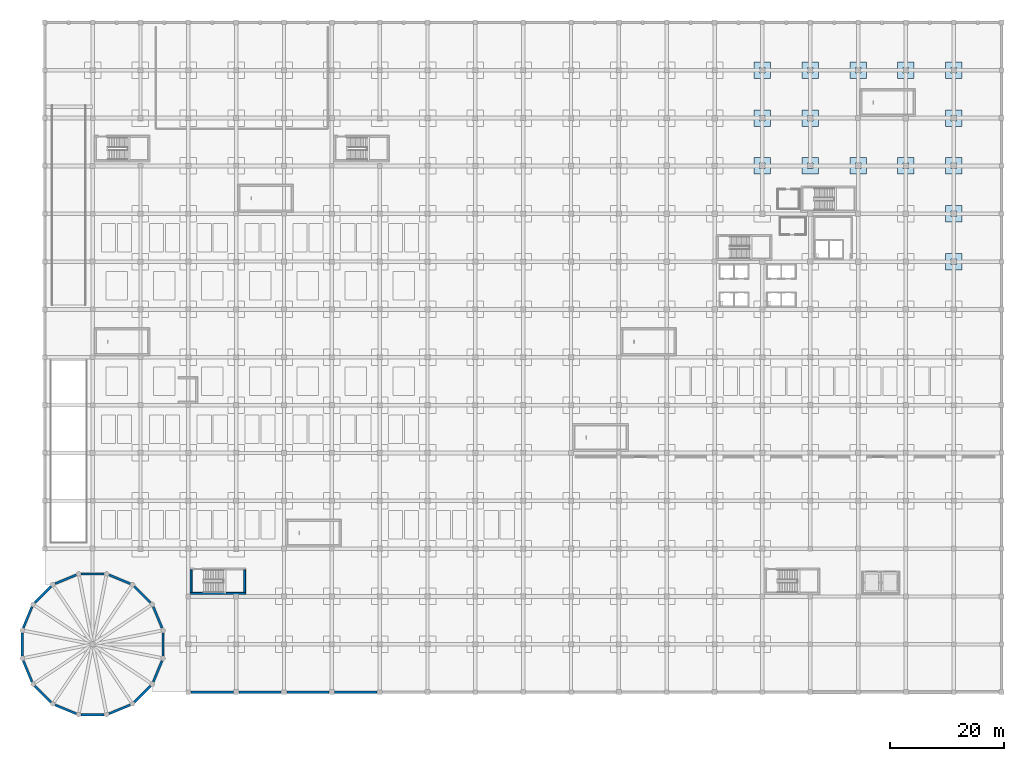
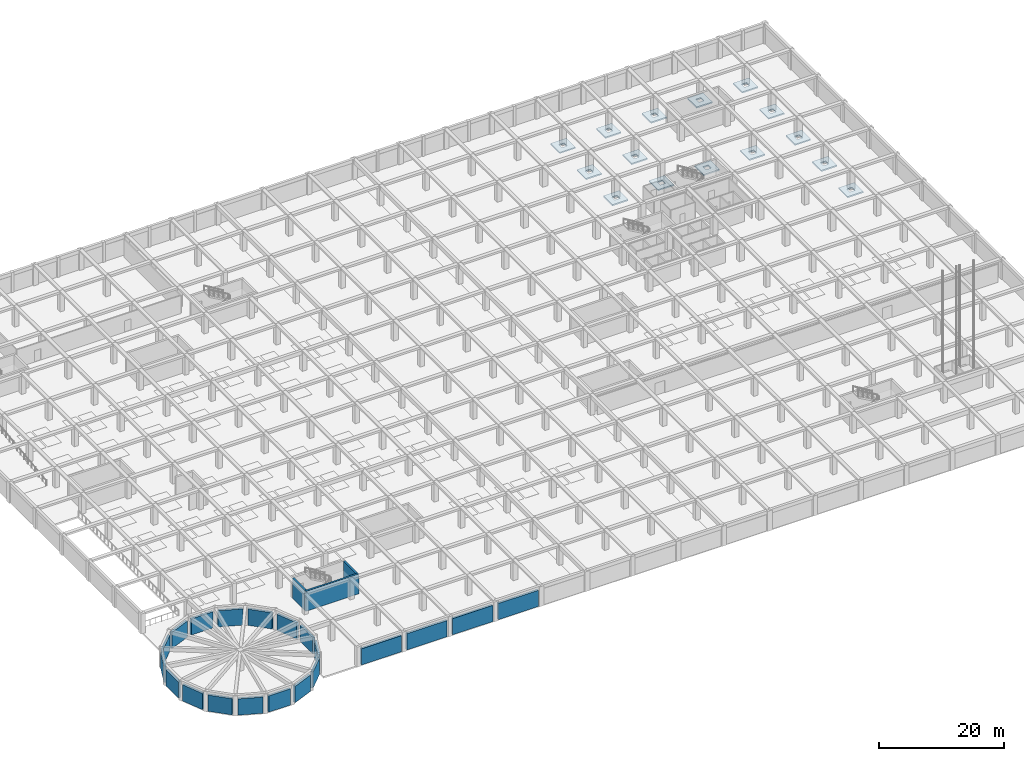
# One storey, part 14 of 32: 23 walls, 15 slabs.
"""IFC4 building model written with IfcOpenShell, lengths in metres."""

import ifcopenshell
import ifcopenshell.guid

model = None  # the IFC model being written
_history = None  # IfcOwnerHistory: only IFC2X3 demands one
_inside = {}  # id of a spatial element -> (the spatial element, [elements in it])
_under = {}  # id of a project, library or spatial element -> (it, [spatial elements below it])
_declared = {}  # id of a project -> (the project, [libraries it declares])
_typed = {}  # id of a type object -> (the type object, [elements of that type])
_made_of = {}  # id of a material, layer set ... -> (it, [elements and type objects made of it])


def new_model(schema):
    """Start an empty IFC model of exactly this schema.

    Asked for "IFC4X3", IfcOpenShell would pick the latest addendum, in which some entities
    have other attributes; the version numbers below select the first issue.
    IFC2X3 requires an IfcOwnerHistory on every rooted entity: one is made here for all.
    """
    global model, _history
    if schema == "IFC4X3":
        model = ifcopenshell.file(schema_version=(4, 3, 0, 0))
    else:
        model = ifcopenshell.file(schema=schema)
    _inside.clear()
    _under.clear()
    _declared.clear()
    _typed.clear()
    _made_of.clear()
    _history = None
    if model.schema == "IFC2X3":
        org = make("IfcOrganization", Name="unknown")
        user = make(
            "IfcPersonAndOrganization",
            ThePerson=make("IfcPerson", FamilyName="unknown"),
            TheOrganization=org,
        )
        app = make(
            "IfcApplication",
            ApplicationDeveloper=org,
            Version="unknown",
            ApplicationFullName="unknown",
            ApplicationIdentifier="unknown",
        )
        _history = make(
            "IfcOwnerHistory",
            OwningUser=user,
            OwningApplication=app,
            ChangeAction="ADDED",
            CreationDate=0,
        )
    return model


def make(cls, **values):
    """One entity of the class cls with the attributes given. An attribute that is None is left unset."""
    return model.create_entity(
        cls, **{name: value for name, value in values.items() if value is not None}
    )


def rooted(cls, **values):
    """An entity with a GlobalId (a new one), such as an element, a storey or a relation."""
    return make(cls, GlobalId=ifcopenshell.guid.new(), OwnerHistory=_history, **values)


def si_unit(unit_type, name, prefix=None):
    """IfcSIUnit, for example si_unit("LENGTHUNIT", "METRE", prefix="MILLI")."""
    return make("IfcSIUnit", UnitType=unit_type, Prefix=prefix, Name=name)


def assignment(units):
    """IfcUnitAssignment: the units of a project."""
    return None if units is None else make("IfcUnitAssignment", Units=units)


def point(xyz):
    """IfcCartesianPoint."""
    return None if xyz is None else make("IfcCartesianPoint", Coordinates=xyz)


def direction(xyz):
    """IfcDirection."""
    return None if xyz is None else make("IfcDirection", DirectionRatios=xyz)


def frame(location, z_axis=None, x_axis=None):
    """IfcAxis2Placement3D, a coordinate frame: its origin and axes. An axis left out is left unset."""
    return make(
        "IfcAxis2Placement3D",
        Location=point(location),
        Axis=direction(z_axis),
        RefDirection=direction(x_axis),
    )


def frame_2d(location, x_axis=None):
    """IfcAxis2Placement2D, a coordinate frame in the plane: its origin and x axis."""
    return make(
        "IfcAxis2Placement2D", Location=point(location), RefDirection=direction(x_axis)
    )


def origin():
    """The frame at (0, 0, 0) with its axes left unset."""
    return frame((0.0, 0.0, 0.0))


def place(relative_to, where):
    """IfcLocalPlacement: puts the frame where relative to a parent placement (None: the world)."""
    return make(
        "IfcLocalPlacement", PlacementRelTo=relative_to, RelativePlacement=where
    )


def context(
    kind, dimensions, precision=None, world=None, true_north=None, identifier=None
):
    """IfcGeometricRepresentationContext, for example the 3D "Model" context."""
    return make(
        "IfcGeometricRepresentationContext",
        ContextIdentifier=identifier,
        ContextType=kind,
        CoordinateSpaceDimension=dimensions,
        Precision=precision,
        WorldCoordinateSystem=world,
        TrueNorth=true_north,
    )


def subcontext(parent, identifier, kind, view, scale=None):
    """IfcGeometricRepresentationSubContext, for example "Body" below "Model"."""
    return make(
        "IfcGeometricRepresentationSubContext",
        ContextIdentifier=identifier,
        ContextType=kind,
        ParentContext=parent,
        TargetScale=scale,
        TargetView=view,
    )


def project(units=None, contexts=None):
    """IfcProject with its units and contexts."""
    return rooted(
        "IfcProject",
        Name="project",
        RepresentationContexts=contexts,
        UnitsInContext=assignment(units),
    )


def spatial(cls, under=None, at=None, **own):
    """A site, building, storey or space (cls), placed at a placement, below another one or the project."""
    s = rooted(cls, ObjectPlacement=at, **own)
    if under is not None:
        _under.setdefault(under.id(), (under, []))[1].append(s)
    return s


def polyline(points):
    """IfcPolyline through the points."""
    return make("IfcPolyline", Points=[point(p) for p in points])


def profile(cls, at=None, kind="AREA", **sizes):
    """A parametric profile (cls). Its sizes go by their IFC names, for example OverallWidth=200.0."""
    return make(cls, ProfileType=kind, Position=at, **sizes)


def rectangle(**sizes):
    """IfcRectangleProfileDef."""
    return profile("IfcRectangleProfileDef", **sizes)


def outline(outer, holes=None, kind="AREA"):
    """IfcArbitraryClosedProfileDef: a profile drawn as a closed curve; with holes, ...WithVoids."""
    if holes is None:
        return make("IfcArbitraryClosedProfileDef", ProfileType=kind, OuterCurve=outer)
    return make(
        "IfcArbitraryProfileDefWithVoids",
        ProfileType=kind,
        OuterCurve=outer,
        InnerCurves=holes,
    )


def extrude(swept, where, along, depth):
    """IfcExtrudedAreaSolid: the profile swept, set in the frame where, extruded along a direction by depth."""
    return make(
        "IfcExtrudedAreaSolid",
        SweptArea=swept,
        Position=where,
        ExtrudedDirection=direction(along),
        Depth=depth,
    )


def shape(context_of_items, identifier, shape_type, items):
    """IfcShapeRepresentation: the items that make up one representation, for example the "Body"."""
    return make(
        "IfcShapeRepresentation",
        ContextOfItems=context_of_items,
        RepresentationIdentifier=identifier,
        RepresentationType=shape_type,
        Items=items,
    )


def material(Name=None, Category=None):
    """IfcMaterial."""
    return make("IfcMaterial", Name=Name, Category=Category)


def layer(
    of_material, thickness, ventilated=None, Name=None, Category=None, Priority=None
):
    """IfcMaterialLayer: one layer of a wall or slab, of a material (None: an air gap)."""
    return make(
        "IfcMaterialLayer",
        Material=of_material,
        LayerThickness=thickness,
        IsVentilated=ventilated,
        Name=Name,
        Category=Category,
        Priority=Priority,
    )


def layer_set(layers, Name=None):
    """IfcMaterialLayerSet."""
    return make("IfcMaterialLayerSet", MaterialLayers=layers, LayerSetName=Name)


def made_of(thing, what):
    """Note that an element or type object is made of a material, layer set ...; save() writes the relation."""
    if what is not None:
        _made_of.setdefault(what.id(), (what, []))[1].append(thing)
    return thing


def type_object(cls, material=None, **own):
    """A type object (cls), such as IfcWallType, which elements share."""
    return made_of(rooted(cls, **own), material)


def element(
    cls,
    number,
    at=None,
    inside=None,
    cuts=None,
    type_object=None,
    material=None,
    context=None,
    identifier="Body",
    shape_type=None,
    held_by="IfcProductDefinitionShape",
    body=None,
    shapes=None,
    **own,
):
    """One element of the class cls, such as IfcWall. Its Tag is "e" and its number.

    at: its placement. inside: the storey or other place that contains it. cuts: it is an
    opening in that element (IfcRelVoidsElement). A single representation is given by context,
    identifier, shape_type and body (its items); several are given by shapes. held_by: the class
    of the entity that holds the representations. save() writes the other relations.
    """
    e = rooted(cls, Tag="e%d" % number, ObjectPlacement=at, **own)
    if body is not None:
        shapes = [shape(context, identifier, shape_type, body)]
    if shapes is not None:
        e.Representation = make(held_by, Representations=shapes)
    if inside is not None:
        _inside.setdefault(inside.id(), (inside, []))[1].append(e)
    if cuts is not None:
        rooted(
            "IfcRelVoidsElement", RelatingBuildingElement=cuts, RelatedOpeningElement=e
        )
    if type_object is not None:
        _typed.setdefault(type_object.id(), (type_object, []))[1].append(e)
    return made_of(e, material)


def aggregate(whole, parts):
    """IfcRelAggregates: a whole, such as a stair, and the parts it consists of."""
    return rooted("IfcRelAggregates", RelatingObject=whole, RelatedObjects=parts)


def save(model, path):
    """Write the relations noted so far, then the file.

    IfcRelAggregates (storeys below a building ...), IfcRelContainedInSpatialStructure (elements
    in a storey), IfcRelDefinesByType, IfcRelAssociatesMaterial and IfcRelDeclares: one each for
    every whole, place, type object, material and project.
    """
    for whole, parts in _under.values():
        aggregate(whole, parts)
    for where, things in _inside.values():
        rooted(
            "IfcRelContainedInSpatialStructure",
            RelatedElements=things,
            RelatingStructure=where,
        )
    for kind, things in _typed.values():
        rooted("IfcRelDefinesByType", RelatedObjects=things, RelatingType=kind)
    for what, things in _made_of.values():
        rooted("IfcRelAssociatesMaterial", RelatedObjects=things, RelatingMaterial=what)
    for by, libraries in _declared.values():
        rooted("IfcRelDeclares", RelatingContext=by, RelatedDefinitions=libraries)
    model.write(path)


model = new_model("IFC4")

# Units and contexts
model_context = context("Model", 3, precision=1e-05, world=origin(), true_north=direction((0.0, 1.0)))
body_context = subcontext(model_context, "Body", "Model", "MODEL_VIEW")
ifc_project = project(units=[si_unit("LENGTHUNIT", "METRE"), si_unit("AREAUNIT", "SQUARE_METRE"), si_unit("VOLUMEUNIT", "CUBIC_METRE"), si_unit("PLANEANGLEUNIT", "RADIAN"), si_unit("MASSUNIT", "GRAM", prefix="KILO")], contexts=[model_context])

# Site, building, storey
site_placement = place(None, origin())
site = spatial("IfcSite", under=ifc_project, at=site_placement, CompositionType="ELEMENT")
building_placement = place(site_placement, origin())
building = spatial("IfcBuilding", under=site, at=building_placement, Name="Almacenes y Pasaje Nevantli", CompositionType="ELEMENT")
storey_placement = place(building_placement, frame((0.0, 0.0, -4.199951171875)))
storey = spatial("IfcBuildingStorey", under=building, at=storey_placement, Name="B01", CompositionType="ELEMENT", Elevation=-4.199951171875)

# Slabs
ifc_material_1 = material(Name="Concrete C35/45", Category="concrete")
ifc_layer_1 = layer(ifc_material_1, 0.25)
ifc_layer_set_1 = layer_set([ifc_layer_1], Name="Concrete C35/45")
slab_type = type_object("IfcSlabType", Name="SLB-DP-250", PredefinedType="USERDEFINED", material=ifc_layer_set_1)
slab_1_placement = place(storey_placement, frame((0.0, 0.0, -0.550048828125)))
element("IfcSlab", 1, at=slab_1_placement, inside=storey, type_object=slab_type, Name="B01 Punching-Shear Drop Panel DP-02 #161", ObjectType="DROP PANEL", PredefinedType="USERDEFINED", context=body_context, shape_type="SweptSolid", body=[
    extrude(outline(polyline([(124.550048828125, 90.949951171875), (127.449951171875, 90.949951171875), (127.449951171875, 93.85009765625), (124.550048828125, 93.85009765625), (124.550048828125, 90.949951171875)]), holes=[polyline([(125.52001953125, 91.919921875), (126.47998046875, 91.919921875), (126.47998046875, 92.8798828125), (125.52001953125, 92.8798828125), (125.52001953125, 91.919921875)])]), origin(), (0.0, 0.0, 1.0), 0.25),
])
slab_2_placement = place(storey_placement, frame((0.0, 0.0, -0.550048828125)))
element("IfcSlab", 2, at=slab_2_placement, inside=storey, type_object=slab_type, Name="B01 Punching-Shear Drop Panel DP-02 #162", ObjectType="DROP PANEL", PredefinedType="USERDEFINED", context=body_context, shape_type="SweptSolid", body=[
    extrude(outline(polyline([(124.550048828125, 99.35009765625), (127.449951171875, 99.35009765625), (127.449951171875, 102.25), (124.550048828125, 102.25), (124.550048828125, 99.35009765625)]), holes=[polyline([(125.52001953125, 100.320068359375), (126.47998046875, 100.320068359375), (126.47998046875, 101.280029296875), (125.52001953125, 101.280029296875), (125.52001953125, 100.320068359375)])]), origin(), (0.0, 0.0, 1.0), 0.25),
])
slab_3_placement = place(storey_placement, frame((0.0, 0.0, -0.550048828125)))
element("IfcSlab", 3, at=slab_3_placement, inside=storey, type_object=slab_type, Name="B01 Punching-Shear Drop Panel DP-02 #163", ObjectType="DROP PANEL", PredefinedType="USERDEFINED", context=body_context, shape_type="SweptSolid", body=[
    extrude(outline(polyline([(124.550048828125, 107.75), (127.449951171875, 107.75), (127.449951171875, 110.64990234375), (124.550048828125, 110.64990234375), (124.550048828125, 107.75)]), holes=[polyline([(125.52001953125, 108.719970703125), (126.47998046875, 108.719970703125), (126.47998046875, 109.679931640625), (125.52001953125, 109.679931640625), (125.52001953125, 108.719970703125)])]), origin(), (0.0, 0.0, 1.0), 0.25),
])
slab_4_placement = place(storey_placement, frame((0.0, 0.0, -0.550048828125)))
element("IfcSlab", 4, at=slab_4_placement, inside=storey, type_object=slab_type, Name="B01 Punching-Shear Drop Panel DP-02 #170", ObjectType="DROP PANEL", PredefinedType="USERDEFINED", context=body_context, shape_type="SweptSolid", body=[
    extrude(outline(polyline([(132.949951171875, 90.949951171875), (135.85009765625, 90.949951171875), (135.85009765625, 93.85009765625), (132.949951171875, 93.85009765625), (132.949951171875, 90.949951171875)]), holes=[polyline([(133.919921875, 91.919921875), (134.8798828125, 91.919921875), (134.8798828125, 92.8798828125), (133.919921875, 92.8798828125), (133.919921875, 91.919921875)])]), origin(), (0.0, 0.0, 1.0), 0.25),
])
slab_5_placement = place(storey_placement, frame((0.0, 0.0, -0.550048828125)))
element("IfcSlab", 5, at=slab_5_placement, inside=storey, type_object=slab_type, Name="B01 Punching-Shear Drop Panel DP-02 #171", ObjectType="DROP PANEL", PredefinedType="USERDEFINED", context=body_context, shape_type="SweptSolid", body=[
    extrude(outline(polyline([(132.949951171875, 99.35009765625), (135.85009765625, 99.35009765625), (135.85009765625, 102.25), (132.949951171875, 102.25), (132.949951171875, 99.35009765625)]), holes=[polyline([(133.919921875, 100.320068359375), (134.8798828125, 100.320068359375), (134.8798828125, 101.280029296875), (133.919921875, 101.280029296875), (133.919921875, 100.320068359375)])]), origin(), (0.0, 0.0, 1.0), 0.25),
])
slab_6_placement = place(storey_placement, frame((0.0, 0.0, -0.550048828125)))
element("IfcSlab", 6, at=slab_6_placement, inside=storey, type_object=slab_type, Name="B01 Punching-Shear Drop Panel DP-02 #172", ObjectType="DROP PANEL", PredefinedType="USERDEFINED", context=body_context, shape_type="SweptSolid", body=[
    extrude(outline(polyline([(132.949951171875, 107.75), (135.85009765625, 107.75), (135.85009765625, 110.64990234375), (132.949951171875, 110.64990234375), (132.949951171875, 107.75)]), holes=[polyline([(133.919921875, 108.719970703125), (134.8798828125, 108.719970703125), (134.8798828125, 109.679931640625), (133.919921875, 109.679931640625), (133.919921875, 108.719970703125)])]), origin(), (0.0, 0.0, 1.0), 0.25),
])
slab_7_placement = place(storey_placement, frame((0.0, 0.0, -0.550048828125)))
element("IfcSlab", 7, at=slab_7_placement, inside=storey, type_object=slab_type, Name="B01 Punching-Shear Drop Panel DP-02 #179", ObjectType="DROP PANEL", PredefinedType="USERDEFINED", context=body_context, shape_type="SweptSolid", body=[
    extrude(outline(polyline([(141.35009765625, 90.949951171875), (144.25, 90.949951171875), (144.25, 93.85009765625), (141.35009765625, 93.85009765625), (141.35009765625, 90.949951171875)]), holes=[polyline([(142.320068359375, 91.919921875), (143.280029296875, 91.919921875), (143.280029296875, 92.8798828125), (142.320068359375, 92.8798828125), (142.320068359375, 91.919921875)])]), origin(), (0.0, 0.0, 1.0), 0.25),
])
slab_8_placement = place(storey_placement, frame((0.0, 0.0, -0.550048828125)))
element("IfcSlab", 8, at=slab_8_placement, inside=storey, type_object=slab_type, Name="B01 Punching-Shear Drop Panel DP-02 #180", ObjectType="DROP PANEL", PredefinedType="USERDEFINED", context=body_context, shape_type="SweptSolid", body=[
    extrude(outline(polyline([(141.35009765625, 107.75), (144.25, 107.75), (144.25, 110.64990234375), (141.35009765625, 110.64990234375), (141.35009765625, 107.75)]), holes=[polyline([(142.320068359375, 108.719970703125), (143.280029296875, 108.719970703125), (143.280029296875, 109.679931640625), (142.320068359375, 109.679931640625), (142.320068359375, 108.719970703125)])]), origin(), (0.0, 0.0, 1.0), 0.25),
])
slab_9_placement = place(storey_placement, frame((0.0, 0.0, -0.550048828125)))
element("IfcSlab", 9, at=slab_9_placement, inside=storey, type_object=slab_type, Name="B01 Punching-Shear Drop Panel DP-02 #188", ObjectType="DROP PANEL", PredefinedType="USERDEFINED", context=body_context, shape_type="SweptSolid", body=[
    extrude(outline(polyline([(149.75, 90.949951171875), (152.64990234375, 90.949951171875), (152.64990234375, 93.85009765625), (149.75, 93.85009765625), (149.75, 90.949951171875)]), holes=[polyline([(150.719970703125, 91.919921875), (151.679931640625, 91.919921875), (151.679931640625, 92.8798828125), (150.719970703125, 92.8798828125), (150.719970703125, 91.919921875)])]), origin(), (0.0, 0.0, 1.0), 0.25),
])
slab_10_placement = place(storey_placement, frame((0.0, 0.0, -0.550048828125)))
element("IfcSlab", 10, at=slab_10_placement, inside=storey, type_object=slab_type, Name="B01 Punching-Shear Drop Panel DP-02 #189", ObjectType="DROP PANEL", PredefinedType="USERDEFINED", context=body_context, shape_type="SweptSolid", body=[
    extrude(outline(polyline([(149.75, 107.75), (152.64990234375, 107.75), (152.64990234375, 110.64990234375), (149.75, 110.64990234375), (149.75, 107.75)]), holes=[polyline([(150.719970703125, 108.719970703125), (151.679931640625, 108.719970703125), (151.679931640625, 109.679931640625), (150.719970703125, 109.679931640625), (150.719970703125, 108.719970703125)])]), origin(), (0.0, 0.0, 1.0), 0.25),
])
slab_11_placement = place(storey_placement, frame((0.0, 0.0, -0.550048828125)))
element("IfcSlab", 11, at=slab_11_placement, inside=storey, type_object=slab_type, Name="B01 Punching-Shear Drop Panel DP-02 #195", ObjectType="DROP PANEL", PredefinedType="USERDEFINED", context=body_context, shape_type="SweptSolid", body=[
    extrude(outline(polyline([(158.14990234375, 74.14990234375), (161.050048828125, 74.14990234375), (161.050048828125, 77.050048828125), (158.14990234375, 77.050048828125), (158.14990234375, 74.14990234375)]), holes=[polyline([(159.1201171875, 75.1201171875), (160.080078125, 75.1201171875), (160.080078125, 76.080078125), (159.1201171875, 76.080078125), (159.1201171875, 75.1201171875)])]), origin(), (0.0, 0.0, 1.0), 0.25),
])
slab_12_placement = place(storey_placement, frame((0.0, 0.0, -0.550048828125)))
element("IfcSlab", 12, at=slab_12_placement, inside=storey, type_object=slab_type, Name="B01 Punching-Shear Drop Panel DP-02 #196", ObjectType="DROP PANEL", PredefinedType="USERDEFINED", context=body_context, shape_type="SweptSolid", body=[
    extrude(outline(polyline([(158.14990234375, 82.550048828125), (161.050048828125, 82.550048828125), (161.050048828125, 85.449951171875), (158.14990234375, 85.449951171875), (158.14990234375, 82.550048828125)]), holes=[polyline([(159.1201171875, 83.52001953125), (160.080078125, 83.52001953125), (160.080078125, 84.47998046875), (159.1201171875, 84.47998046875), (159.1201171875, 83.52001953125)])]), origin(), (0.0, 0.0, 1.0), 0.25),
])
slab_13_placement = place(storey_placement, frame((0.0, 0.0, -0.550048828125)))
element("IfcSlab", 13, at=slab_13_placement, inside=storey, type_object=slab_type, Name="B01 Punching-Shear Drop Panel DP-02 #197", ObjectType="DROP PANEL", PredefinedType="USERDEFINED", context=body_context, shape_type="SweptSolid", body=[
    extrude(outline(polyline([(158.14990234375, 90.949951171875), (161.050048828125, 90.949951171875), (161.050048828125, 93.85009765625), (158.14990234375, 93.85009765625), (158.14990234375, 90.949951171875)]), holes=[polyline([(159.1201171875, 91.919921875), (160.080078125, 91.919921875), (160.080078125, 92.8798828125), (159.1201171875, 92.8798828125), (159.1201171875, 91.919921875)])]), origin(), (0.0, 0.0, 1.0), 0.25),
])
slab_14_placement = place(storey_placement, frame((0.0, 0.0, -0.550048828125)))
element("IfcSlab", 14, at=slab_14_placement, inside=storey, type_object=slab_type, Name="B01 Punching-Shear Drop Panel DP-02 #198", ObjectType="DROP PANEL", PredefinedType="USERDEFINED", context=body_context, shape_type="SweptSolid", body=[
    extrude(outline(polyline([(158.14990234375, 99.35009765625), (161.050048828125, 99.35009765625), (161.050048828125, 102.25), (158.14990234375, 102.25), (158.14990234375, 99.35009765625)]), holes=[polyline([(159.1201171875, 100.320068359375), (160.080078125, 100.320068359375), (160.080078125, 101.280029296875), (159.1201171875, 101.280029296875), (159.1201171875, 100.320068359375)])]), origin(), (0.0, 0.0, 1.0), 0.25),
])
slab_15_placement = place(storey_placement, frame((0.0, 0.0, -0.550048828125)))
element("IfcSlab", 15, at=slab_15_placement, inside=storey, type_object=slab_type, Name="B01 Punching-Shear Drop Panel DP-02 #199", ObjectType="DROP PANEL", PredefinedType="USERDEFINED", context=body_context, shape_type="SweptSolid", body=[
    extrude(outline(polyline([(158.14990234375, 107.75), (161.050048828125, 107.75), (161.050048828125, 110.64990234375), (158.14990234375, 110.64990234375), (158.14990234375, 107.75)]), holes=[polyline([(159.1201171875, 108.719970703125), (160.080078125, 108.719970703125), (160.080078125, 109.679931640625), (159.1201171875, 109.679931640625), (159.1201171875, 108.719970703125)])]), origin(), (0.0, 0.0, 1.0), 0.25),
])

# Walls
ifc_material_2 = material(Name="Concrete C45/55", Category="concrete")
ifc_layer_2 = layer(ifc_material_2, 0.35009765625)
ifc_layer_set_2 = layer_set([ifc_layer_2], Name="Concrete C45/55")
wall_type_1 = type_object("IfcWallType", Name="WL-CORE-350", PredefinedType="SHEAR", material=ifc_layer_set_2)
wall_1_placement = place(storey_placement, frame((25.5, 17.324951171875, 0.0), z_axis=(0.0, 0.0, 1.0), x_axis=(1.0, 0.0, 0.0)))
element("IfcWall", 16, at=wall_1_placement, inside=storey, type_object=wall_type_1, Name="B01 Exit Stair ST-04 South Core Shear Wall", PredefinedType="SHEAR", context=body_context, shape_type="SweptSolid", body=[
    extrude(rectangle(XDim=9.75, YDim=0.35009765625, at=frame_2d((4.875, 0.0))), origin(), (0.0, 0.0, 1.0), 3.8798828125),
])
for number, where, z_axis, x_axis, name in (
    (17, (25.675048828125, 17.5, 0.0), (0.0, 0.0, 1.0), (0.0, 1.0, 0.0), "B01 Exit Stair ST-04 West Core Shear Wall"),
    (18, (35.074951171875, 17.5, 0.0), (0.0, 0.0, 1.0), (0.0, 1.0, 0.0), "B01 Exit Stair ST-04 East Core Shear Wall"),
):
    element("IfcWall", number, at=place(storey_placement, frame(where, z_axis=z_axis, x_axis=x_axis)), inside=storey, type_object=wall_type_1, Name=name, PredefinedType="SHEAR", context=body_context, shape_type="SweptSolid", body=[
        extrude(rectangle(XDim=3.949951171875, YDim=0.35009765625, at=frame_2d((1.97509765625, 0.0))), origin(), (0.0, 0.0, 1.0), 3.8798828125),
    ])
ifc_material_3 = material(Name="Concrete C45/55", Category="concrete")
ifc_layer_3 = layer(ifc_material_3, 0.39990234375)
ifc_layer_set_3 = layer_set([ifc_layer_3], Name="Concrete C45/55")
wall_type_2 = type_object("IfcWallType", Name="WL-SHEAR-400", PredefinedType="SHEAR", material=ifc_layer_set_3)
wall_2_placement = place(storey_placement, frame((25.699951171875, 0.0, 0.0), z_axis=(0.0, 0.0, 1.0), x_axis=(1.0, 0.0, 0.0)))
element("IfcWall", 19, at=wall_2_placement, inside=storey, type_object=wall_type_2, Name="B01 South Basement Retaining Shear Wall #4", PredefinedType="SHEAR", context=body_context, shape_type="SweptSolid", body=[
    extrude(rectangle(XDim=7.400146484375, YDim=0.39990234375, at=frame_2d((3.7001953125, 0.0))), origin(), (0.0, 0.0, 1.0), 3.159912109375),
])
for number, where, z_axis, x_axis, name in (
    (20, (34.10009765625, 0.0, 0.0), (0.0, 0.0, 1.0), (1.0, 0.0, 0.0), "B01 South Basement Retaining Shear Wall #5"),
    (21, (42.5, 0.0, 0.0), (0.0, 0.0, 1.0), (1.0, 0.0, 0.0), "B01 South Basement Retaining Shear Wall #6"),
):
    element("IfcWall", number, at=place(storey_placement, frame(where, z_axis=z_axis, x_axis=x_axis)), inside=storey, type_object=wall_type_2, Name=name, PredefinedType="SHEAR", context=body_context, shape_type="SweptSolid", body=[
        extrude(rectangle(XDim=7.39990234375, YDim=0.39990234375, at=frame_2d((3.699951171875, 0.0))), origin(), (0.0, 0.0, 1.0), 3.159912109375),
    ])
wall_3_placement = place(storey_placement, frame((50.89990234375, 0.0, 0.0), z_axis=(0.0, 0.0, 1.0), x_axis=(1.0, 0.0, 0.0)))
element("IfcWall", 22, at=wall_3_placement, inside=storey, type_object=wall_type_2, Name="B01 South Basement Retaining Shear Wall #7", PredefinedType="SHEAR", context=body_context, shape_type="SweptSolid", body=[
    extrude(rectangle(XDim=7.400146484375, YDim=0.39990234375, at=frame_2d((3.7001953125, 0.0))), origin(), (0.0, 0.0, 1.0), 3.159912109375),
])
wall_4_placement = place(storey_placement, frame((20.585693359375, 11.27392578125, 0.0), z_axis=(0.0, 0.0, 1.0), x_axis=(-0.382672135366, 0.923884211801, 0.0)))
element("IfcWall", 23, at=wall_4_placement, inside=storey, type_object=wall_type_2, Name="B01 Rotunda Basement Retaining Shear Wall #1", PredefinedType="SHEAR", context=body_context, shape_type="SweptSolid", body=[
    extrude(rectangle(XDim=4.01611328125, YDim=0.39990234375, at=frame_2d((2.008056640625, 0.0))), origin(), (0.0, 0.0, 1.0), 3.159912109375),
])
wall_5_placement = place(storey_placement, frame((18.558349609375, 15.71826171875, 0.0), z_axis=(0.0, 0.0, 1.0), x_axis=(-0.707106781187, 0.707106781187, 0.0)))
element("IfcWall", 24, at=wall_5_placement, inside=storey, type_object=wall_type_2, Name="B01 Rotunda Basement Retaining Shear Wall #2", PredefinedType="SHEAR", context=body_context, shape_type="SweptSolid", body=[
    extrude(rectangle(XDim=4.0166015625, YDim=0.39990234375, at=frame_2d((2.00830078125, 0.0))), origin(), (0.0, 0.0, 1.0), 3.159912109375),
])
wall_6_placement = place(storey_placement, frame((14.984375, 19.048828125, 0.0), z_axis=(0.0, 0.0, 1.0), x_axis=(-0.923884211801, 0.382672135366, 0.0)))
element("IfcWall", 25, at=wall_6_placement, inside=storey, type_object=wall_type_2, Name="B01 Rotunda Basement Retaining Shear Wall #3", PredefinedType="SHEAR", context=body_context, shape_type="SweptSolid", body=[
    extrude(rectangle(XDim=4.01611328125, YDim=0.39990234375, at=frame_2d((2.008056640625, 0.0))), origin(), (0.0, 0.0, 1.0), 3.159912109375),
])
wall_7_placement = place(storey_placement, frame((10.408203125, 20.7578125, 0.0), z_axis=(0.0, 0.0, 1.0), x_axis=(-1.0, 0.0, 0.0)))
element("IfcWall", 26, at=wall_7_placement, inside=storey, type_object=wall_type_2, Name="B01 Rotunda Basement Retaining Shear Wall #4", PredefinedType="SHEAR", context=body_context, shape_type="SweptSolid", body=[
    extrude(rectangle(XDim=4.016357421875, YDim=0.39990234375, at=frame_2d((2.00830078125, 0.0))), origin(), (0.0, 0.0, 1.0), 3.159912109375),
])
wall_8_placement = place(storey_placement, frame((5.526123046875, 20.585693359375, 0.0), z_axis=(0.0, 0.0, 1.0), x_axis=(-0.923884211801, -0.382672135366, 0.0)))
element("IfcWall", 27, at=wall_8_placement, inside=storey, type_object=wall_type_2, Name="B01 Rotunda Basement Retaining Shear Wall #5", PredefinedType="SHEAR", context=body_context, shape_type="SweptSolid", body=[
    extrude(rectangle(XDim=4.01611328125, YDim=0.39990234375, at=frame_2d((2.008056640625, 0.0))), origin(), (0.0, 0.0, 1.0), 3.159912109375),
])
wall_9_placement = place(storey_placement, frame((1.08154296875, 18.558349609375, 0.0), z_axis=(0.0, 0.0, 1.0), x_axis=(-0.707076386947, -0.707137174119, 0.0)))
element("IfcWall", 28, at=wall_9_placement, inside=storey, type_object=wall_type_2, Name="B01 Rotunda Basement Retaining Shear Wall #6", PredefinedType="SHEAR", context=body_context, shape_type="SweptSolid", body=[
    extrude(rectangle(XDim=4.016357421875, YDim=0.39990234375, at=frame_2d((2.00830078125, 0.0))), origin(), (0.0, 0.0, 1.0), 3.159912109375),
])
wall_10_placement = place(storey_placement, frame((-2.248779296875, 14.984375, 0.0), z_axis=(0.0, 0.0, 1.0), x_axis=(-0.382672135366, -0.923884211801, 0.0)))
element("IfcWall", 29, at=wall_10_placement, inside=storey, type_object=wall_type_2, Name="B01 Rotunda Basement Retaining Shear Wall #7", PredefinedType="SHEAR", context=body_context, shape_type="SweptSolid", body=[
    extrude(rectangle(XDim=4.01611328125, YDim=0.39990234375, at=frame_2d((2.008056640625, 0.0))), origin(), (0.0, 0.0, 1.0), 3.159912109375),
])
wall_11_placement = place(storey_placement, frame((-3.9580078125, 10.408203125, 0.0), z_axis=(0.0, 0.0, 1.0), x_axis=(0.0, -1.0, 0.0)))
element("IfcWall", 30, at=wall_11_placement, inside=storey, type_object=wall_type_2, Name="B01 Rotunda Basement Retaining Shear Wall #8", PredefinedType="SHEAR", context=body_context, shape_type="SweptSolid", body=[
    extrude(rectangle(XDim=4.016357421875, YDim=0.39990234375, at=frame_2d((2.00830078125, 0.0))), origin(), (0.0, 0.0, 1.0), 3.159912109375),
])
for number, where, z_axis, x_axis, name in (
    (31, (-3.78564453125, 5.526123046875, 0.0), (0.0, 0.0, 1.0), (0.382672135366, -0.923884211801, 0.0), "B01 Rotunda Basement Retaining Shear Wall #9"),
    (32, (-1.75830078125, 1.08154296875, 0.0), (0.0, 0.0, 1.0), (0.707106781187, -0.707106781187, 0.0), "B01 Rotunda Basement Retaining Shear Wall #10"),
    (33, (1.815673828125, -2.248779296875, 0.0), (0.0, 0.0, 1.0), (0.923884211801, -0.382672135366, 0.0), "B01 Rotunda Basement Retaining Shear Wall #11"),
):
    element("IfcWall", number, at=place(storey_placement, frame(where, z_axis=z_axis, x_axis=x_axis)), inside=storey, type_object=wall_type_2, Name=name, PredefinedType="SHEAR", context=body_context, shape_type="SweptSolid", body=[
        extrude(rectangle(XDim=4.01611328125, YDim=0.39990234375, at=frame_2d((2.008056640625, 0.0))), origin(), (0.0, 0.0, 1.0), 3.159912109375),
    ])
wall_12_placement = place(storey_placement, frame((6.391845703125, -3.9580078125, 0.0), z_axis=(0.0, 0.0, 1.0), x_axis=(1.0, 0.0, 0.0)))
element("IfcWall", 34, at=wall_12_placement, inside=storey, type_object=wall_type_2, Name="B01 Rotunda Basement Retaining Shear Wall #12", PredefinedType="SHEAR", context=body_context, shape_type="SweptSolid", body=[
    extrude(rectangle(XDim=4.016357421875, YDim=0.39990234375, at=frame_2d((2.00830078125, 0.0))), origin(), (0.0, 0.0, 1.0), 3.159912109375),
])
wall_13_placement = place(storey_placement, frame((11.27392578125, -3.78564453125, 0.0), z_axis=(0.0, 0.0, 1.0), x_axis=(0.923884211801, 0.382672135366, 0.0)))
element("IfcWall", 35, at=wall_13_placement, inside=storey, type_object=wall_type_2, Name="B01 Rotunda Basement Retaining Shear Wall #13", PredefinedType="SHEAR", context=body_context, shape_type="SweptSolid", body=[
    extrude(rectangle(XDim=4.01611328125, YDim=0.39990234375, at=frame_2d((2.008056640625, 0.0))), origin(), (0.0, 0.0, 1.0), 3.159912109375),
])
wall_14_placement = place(storey_placement, frame((15.71826171875, -1.75830078125, 0.0), z_axis=(0.0, 0.0, 1.0), x_axis=(0.707137174119, 0.707076386947, 0.0)))
element("IfcWall", 36, at=wall_14_placement, inside=storey, type_object=wall_type_2, Name="B01 Rotunda Basement Retaining Shear Wall #14", PredefinedType="SHEAR", context=body_context, shape_type="SweptSolid", body=[
    extrude(rectangle(XDim=4.016357421875, YDim=0.39990234375, at=frame_2d((2.00830078125, 0.0))), origin(), (0.0, 0.0, 1.0), 3.159912109375),
])
wall_15_placement = place(storey_placement, frame((19.048828125, 1.815673828125, 0.0), z_axis=(0.0, 0.0, 1.0), x_axis=(0.382672135366, 0.923884211801, 0.0)))
element("IfcWall", 37, at=wall_15_placement, inside=storey, type_object=wall_type_2, Name="B01 Rotunda Basement Retaining Shear Wall #15", PredefinedType="SHEAR", context=body_context, shape_type="SweptSolid", body=[
    extrude(rectangle(XDim=4.01611328125, YDim=0.39990234375, at=frame_2d((2.008056640625, 0.0))), origin(), (0.0, 0.0, 1.0), 3.159912109375),
])
wall_16_placement = place(storey_placement, frame((20.7578125, 6.391845703125, 0.0), z_axis=(0.0, 0.0, 1.0), x_axis=(0.0, 1.0, 0.0)))
element("IfcWall", 38, at=wall_16_placement, inside=storey, type_object=wall_type_2, Name="B01 Rotunda Basement Retaining Shear Wall #16", PredefinedType="SHEAR", context=body_context, shape_type="SweptSolid", body=[
    extrude(rectangle(XDim=4.016357421875, YDim=0.39990234375, at=frame_2d((2.00830078125, 0.0))), origin(), (0.0, 0.0, 1.0), 3.159912109375),
])

save(model, "model.ifc")
